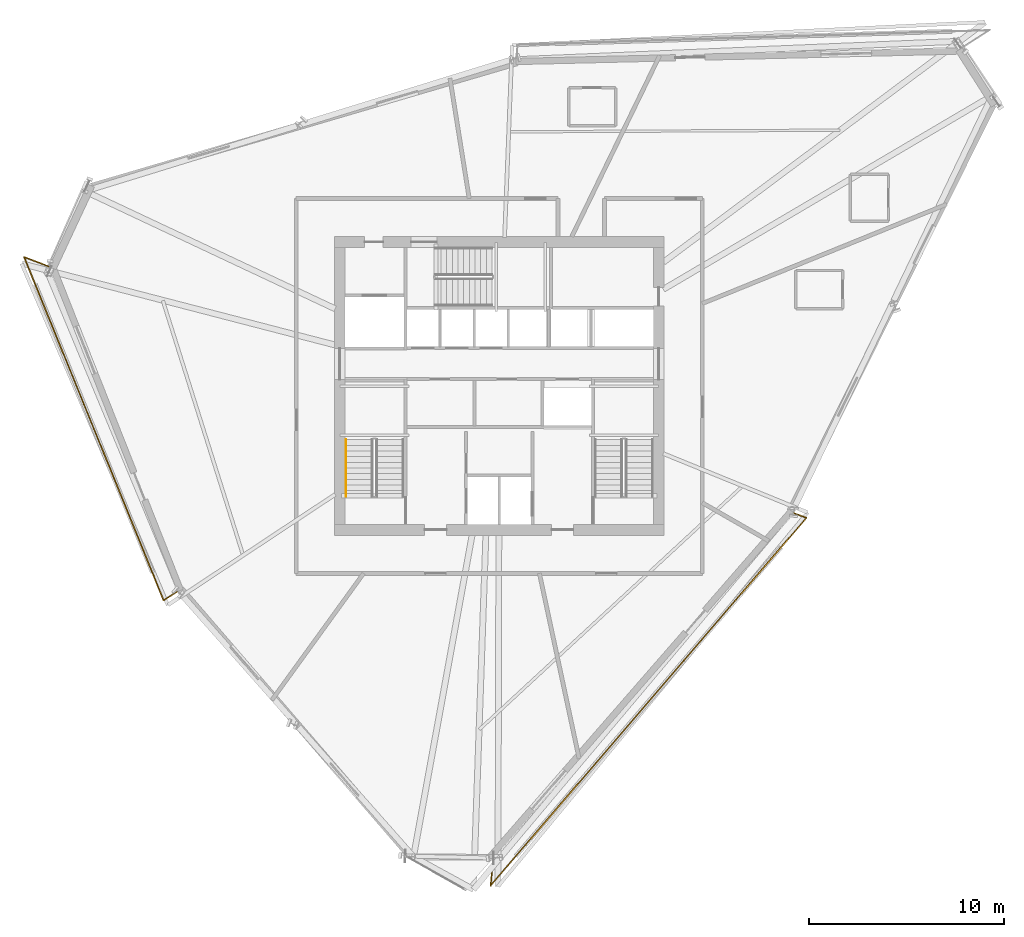
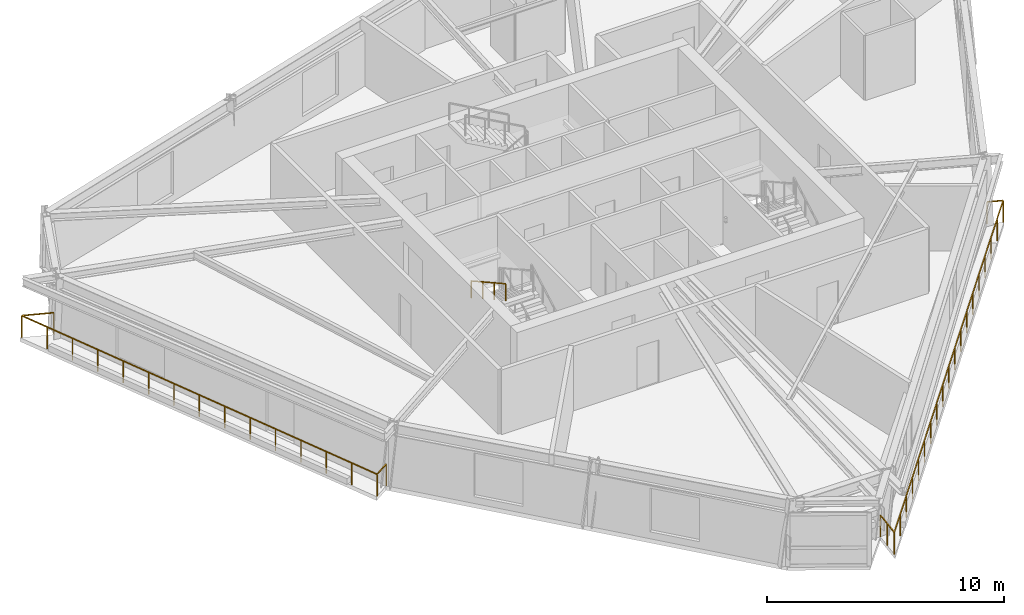
# One storey, part 11 of 13: 3 railings.
"""IFC4 building model written with IfcOpenShell, lengths in metres."""

from ifc_helpers import new_model, si_unit, direction, frame, origin, origin_2d, place, context, subcontext, project, spatial, rectangle, extrude, material, type_object, element, save


model = new_model("IFC4")

# Units and contexts
model_context = context("Model", 3, precision=1e-05, world=origin(), true_north=direction((0.0, 1.0)))
body_context = subcontext(model_context, "Body", "Model", "MODEL_VIEW")
ifc_project = project(units=[si_unit("LENGTHUNIT", "METRE"), si_unit("AREAUNIT", "SQUARE_METRE"), si_unit("VOLUMEUNIT", "CUBIC_METRE"), si_unit("PLANEANGLEUNIT", "RADIAN"), si_unit("MASSUNIT", "GRAM", prefix="KILO")], contexts=[model_context])

# Site, building, storey
site_placement = place(None, origin())
site = spatial("IfcSite", under=ifc_project, at=site_placement, CompositionType="ELEMENT")
building_placement = place(site_placement, origin())
building = spatial("IfcBuilding", under=site, at=building_placement, Name="Olszyna Solenne Hotel", CompositionType="ELEMENT")
storey_placement = place(building_placement, frame((0.0, 0.0, 167.89990234375)))
storey = spatial("IfcBuildingStorey", under=building, at=storey_placement, Name="L44", CompositionType="ELEMENT", Elevation=167.89990234375)

# Railings
ifc_material_1 = material(Name="Anodised bronze aluminium", Category="aluminium")
railing_type_1 = type_object("IfcRailingType", Name="GR-110", PredefinedType="BALUSTRADE", material=ifc_material_1)
railing_1_placement = place(storey_placement, frame((14.947998046875, 32.71337890625, 0.0)))
element("IfcRailing", 1, at=railing_1_placement, inside=storey, type_object=railing_type_1, Name="Loggia balcony balustrade guard GR-L44-LG2", PredefinedType="BALUSTRADE", context=body_context, shape_type="SweptSolid", body=[
    extrude(rectangle(XDim=0.048095703125, YDim=0.048095703125, at=origin_2d()), frame((0.0, 0.0, 1.1259765625), z_axis=(-0.933386667473, 0.358872301777, 0.0), x_axis=(-0.358872301777, -0.933386667473, 0.0)), (0.0, 0.0, 1.0), 1.37890625),
    extrude(rectangle(XDim=0.048095703125, YDim=0.048095703125, at=origin_2d()), frame((-1.287109375, 0.494873046875, 1.1259765625), z_axis=(0.37636394246, -0.926471900716, 0.0), x_axis=(0.926471900716, 0.37636394246, 0.0)), (0.0, 0.0, 1.0), 18.989501953125),
    extrude(rectangle(XDim=0.048095703125, YDim=0.048095703125, at=origin_2d()), frame((5.85986328125, -17.098388671875, 1.1259765625), z_axis=(0.840389936291, 0.541982246001, 0.0), x_axis=(-0.541982246001, 0.840389936291, 0.0)), (0.0, 0.0, 1.0), 0.845947265625),
    extrude(rectangle(XDim=0.0419921875, YDim=0.0419921875, at=origin_2d()), origin(), (0.0, 0.0, 1.0), 1.101806640625),
    extrude(rectangle(XDim=0.0419921875, YDim=0.0419921875, at=origin_2d()), frame((-1.287109375, 0.494873046875, 0.0)), (0.0, 0.0, 1.0), 1.101806640625),
    extrude(rectangle(XDim=0.0419921875, YDim=0.0419921875, at=origin_2d()), frame((-0.776611328125, -0.76171875, 0.0)), (0.0, 0.0, 1.0), 1.101806640625),
    extrude(rectangle(XDim=0.0419921875, YDim=0.0419921875, at=origin_2d()), frame((-0.26611328125, -2.0185546875, 0.0)), (0.0, 0.0, 1.0), 1.101806640625),
    extrude(rectangle(XDim=0.0419921875, YDim=0.0419921875, at=origin_2d()), frame((0.244384765625, -3.275146484375, 0.0)), (0.0, 0.0, 1.0), 1.101806640625),
    extrude(rectangle(XDim=0.0419921875, YDim=0.0419921875, at=origin_2d()), frame((0.7548828125, -4.53173828125, 0.0)), (0.0, 0.0, 1.0), 1.101806640625),
    extrude(rectangle(XDim=0.0419921875, YDim=0.0419921875, at=origin_2d()), frame((1.265380859375, -5.788330078125, 0.0)), (0.0, 0.0, 1.0), 1.101806640625),
    extrude(rectangle(XDim=0.0419921875, YDim=0.0419921875, at=origin_2d()), frame((1.77587890625, -7.045166015625, 0.0)), (0.0, 0.0, 1.0), 1.101806640625),
    extrude(rectangle(XDim=0.0419921875, YDim=0.0419921875, at=origin_2d()), frame((2.286376953125, -8.3017578125, 0.0)), (0.0, 0.0, 1.0), 1.101806640625),
    extrude(rectangle(XDim=0.0419921875, YDim=0.0419921875, at=origin_2d()), frame((2.796875, -9.558349609375, 0.0)), (0.0, 0.0, 1.0), 1.101806640625),
    extrude(rectangle(XDim=0.0419921875, YDim=0.0419921875, at=origin_2d()), frame((3.307373046875, -10.815185546875, 0.0)), (0.0, 0.0, 1.0), 1.101806640625),
    extrude(rectangle(XDim=0.0419921875, YDim=0.0419921875, at=origin_2d()), frame((3.81787109375, -12.07177734375, 0.0)), (0.0, 0.0, 1.0), 1.101806640625),
    extrude(rectangle(XDim=0.0419921875, YDim=0.0419921875, at=origin_2d()), frame((4.328369140625, -13.328369140625, 0.0)), (0.0, 0.0, 1.0), 1.101806640625),
    extrude(rectangle(XDim=0.0419921875, YDim=0.0419921875, at=origin_2d()), frame((4.8388671875, -14.5849609375, 0.0)), (0.0, 0.0, 1.0), 1.101806640625),
    extrude(rectangle(XDim=0.0419921875, YDim=0.0419921875, at=origin_2d()), frame((5.349365234375, -15.841796875, 0.0)), (0.0, 0.0, 1.0), 1.101806640625),
    extrude(rectangle(XDim=0.0419921875, YDim=0.0419921875, at=origin_2d()), frame((5.85986328125, -17.098388671875, 0.0)), (0.0, 0.0, 1.0), 1.101806640625),
    extrude(rectangle(XDim=0.0419921875, YDim=0.0419921875, at=origin_2d()), frame((6.57080078125, -16.639892578125, 0.0)), (0.0, 0.0, 1.0), 1.101806640625),
])
railing_2_placement = place(storey_placement, frame((37.6923828125, 2.41943359375, 0.0)))
element("IfcRailing", 2, at=railing_2_placement, inside=storey, type_object=railing_type_1, Name="Loggia balcony balustrade guard GR-L44-LG3", PredefinedType="BALUSTRADE", context=body_context, shape_type="SweptSolid", body=[
    extrude(rectangle(XDim=0.048095703125, YDim=0.048095703125, at=origin_2d()), frame((0.0, 0.0, 1.1259765625), z_axis=(-0.094662891104, -0.995509385716, 0.0), x_axis=(0.995509385716, -0.094662891104, 0.0)), (0.0, 0.0, 1.0), 1.41845703125),
    extrude(rectangle(XDim=0.048095703125, YDim=0.048095703125, at=origin_2d()), frame((-0.13427734375, -1.412109375, 1.1259765625), z_axis=(0.65148179797, 0.758664264951, 0.0), x_axis=(-0.758664264951, 0.65148179797, 0.0)), (0.0, 0.0, 1.0), 24.830322265625),
    extrude(rectangle(XDim=0.048095703125, YDim=0.048095703125, at=origin_2d()), frame((16.042236328125, 17.42578125, 1.1259765625), z_axis=(-0.933327353989, 0.359026531466, 0.0), x_axis=(-0.359026531466, -0.933327353989, 0.0)), (0.0, 0.0, 1.0), 0.689453125),
    extrude(rectangle(XDim=0.0419921875, YDim=0.0419921875, at=origin_2d()), origin(), (0.0, 0.0, 1.0), 1.101806640625),
    extrude(rectangle(XDim=0.0419921875, YDim=0.0419921875, at=origin_2d()), frame((-0.067138671875, -0.7060546875, 0.0)), (0.0, 0.0, 1.0), 1.101806640625),
    extrude(rectangle(XDim=0.0419921875, YDim=0.0419921875, at=origin_2d()), frame((-0.13427734375, -1.412109375, 0.0)), (0.0, 0.0, 1.0), 1.101806640625),
    extrude(rectangle(XDim=0.0419921875, YDim=0.0419921875, at=origin_2d()), frame((0.764404296875, -0.365478515625, 0.0)), (0.0, 0.0, 1.0), 1.101806640625),
    extrude(rectangle(XDim=0.0419921875, YDim=0.0419921875, at=origin_2d()), frame((1.6630859375, 0.680908203125, 0.0)), (0.0, 0.0, 1.0), 1.101806640625),
    extrude(rectangle(XDim=0.0419921875, YDim=0.0419921875, at=origin_2d()), frame((2.561767578125, 1.7275390625, 0.0)), (0.0, 0.0, 1.0), 1.101806640625),
    extrude(rectangle(XDim=0.0419921875, YDim=0.0419921875, at=origin_2d()), frame((3.46044921875, 2.774169921875, 0.0)), (0.0, 0.0, 1.0), 1.101806640625),
    extrude(rectangle(XDim=0.0419921875, YDim=0.0419921875, at=origin_2d()), frame((4.359130859375, 3.820556640625, 0.0)), (0.0, 0.0, 1.0), 1.101806640625),
    extrude(rectangle(XDim=0.0419921875, YDim=0.0419921875, at=origin_2d()), frame((5.2578125, 4.8671875, 0.0)), (0.0, 0.0, 1.0), 1.101806640625),
    extrude(rectangle(XDim=0.0419921875, YDim=0.0419921875, at=origin_2d()), frame((6.156494140625, 5.913818359375, 0.0)), (0.0, 0.0, 1.0), 1.101806640625),
    extrude(rectangle(XDim=0.0419921875, YDim=0.0419921875, at=origin_2d()), frame((7.05517578125, 6.960205078125, 0.0)), (0.0, 0.0, 1.0), 1.101806640625),
    extrude(rectangle(XDim=0.0419921875, YDim=0.0419921875, at=origin_2d()), frame((7.9541015625, 8.0068359375, 0.0)), (0.0, 0.0, 1.0), 1.101806640625),
    extrude(rectangle(XDim=0.0419921875, YDim=0.0419921875, at=origin_2d()), frame((8.852783203125, 9.053466796875, 0.0)), (0.0, 0.0, 1.0), 1.101806640625),
    extrude(rectangle(XDim=0.0419921875, YDim=0.0419921875, at=origin_2d()), frame((9.75146484375, 10.099853515625, 0.0)), (0.0, 0.0, 1.0), 1.101806640625),
    extrude(rectangle(XDim=0.0419921875, YDim=0.0419921875, at=origin_2d()), frame((10.650146484375, 11.146484375, 0.0)), (0.0, 0.0, 1.0), 1.101806640625),
    extrude(rectangle(XDim=0.0419921875, YDim=0.0419921875, at=origin_2d()), frame((11.548828125, 12.193115234375, 0.0)), (0.0, 0.0, 1.0), 1.101806640625),
    extrude(rectangle(XDim=0.0419921875, YDim=0.0419921875, at=origin_2d()), frame((12.447509765625, 13.239501953125, 0.0)), (0.0, 0.0, 1.0), 1.101806640625),
    extrude(rectangle(XDim=0.0419921875, YDim=0.0419921875, at=origin_2d()), frame((13.34619140625, 14.2861328125, 0.0)), (0.0, 0.0, 1.0), 1.101806640625),
    extrude(rectangle(XDim=0.0419921875, YDim=0.0419921875, at=origin_2d()), frame((14.244873046875, 15.332763671875, 0.0)), (0.0, 0.0, 1.0), 1.101806640625),
    extrude(rectangle(XDim=0.0419921875, YDim=0.0419921875, at=origin_2d()), frame((15.1435546875, 16.379150390625, 0.0)), (0.0, 0.0, 1.0), 1.101806640625),
    extrude(rectangle(XDim=0.0419921875, YDim=0.0419921875, at=origin_2d()), frame((16.042236328125, 17.42578125, 0.0)), (0.0, 0.0, 1.0), 1.101806640625),
    extrude(rectangle(XDim=0.0419921875, YDim=0.0419921875, at=origin_2d()), frame((15.398681640625, 17.67333984375, 0.0)), (0.0, 0.0, 1.0), 1.101806640625),
])
ifc_material_2 = material(Name="Steel S355J2", Category="steel")
railing_type_2 = type_object("IfcRailingType", Name="HR-090", PredefinedType="HANDRAIL", material=ifc_material_2)
railing_3_placement = place(storey_placement, frame((30.14990234375, 23.85009765625, 1.9365234375)))
element("IfcRailing", 3, at=railing_3_placement, inside=storey, type_object=railing_type_2, Name="L44 ST1 stair handrail 2", PredefinedType="HANDRAIL", context=body_context, shape_type="SweptSolid", body=[
    extrude(rectangle(XDim=0.048095703125, YDim=0.048095703125, at=origin_2d()), frame((0.0, 0.0, 0.8759765625), z_axis=(0.0, -0.873858693841, 0.486179990537), x_axis=(1.0, 0.0, 0.0)), (0.0, 0.0, 1.0), 3.31884765625),
    extrude(rectangle(XDim=0.0419921875, YDim=0.0419921875, at=origin_2d()), origin(), (0.0, 0.0, 1.0), 0.851806640625),
    extrude(rectangle(XDim=0.0419921875, YDim=0.0419921875, at=origin_2d()), frame((0.0, -0.966796875, 0.537841796875)), (0.0, 0.0, 1.0), 0.851806640625),
    extrude(rectangle(XDim=0.0419921875, YDim=0.0419921875, at=origin_2d()), frame((0.0, -1.933349609375, 1.07568359375)), (0.0, 0.0, 1.0), 0.851806640625),
    extrude(rectangle(XDim=0.0419921875, YDim=0.0419921875, at=origin_2d()), frame((0.0, -2.900146484375, 1.613525390625)), (0.0, 0.0, 1.0), 0.851806640625),
])

save(model, "model.ifc")
